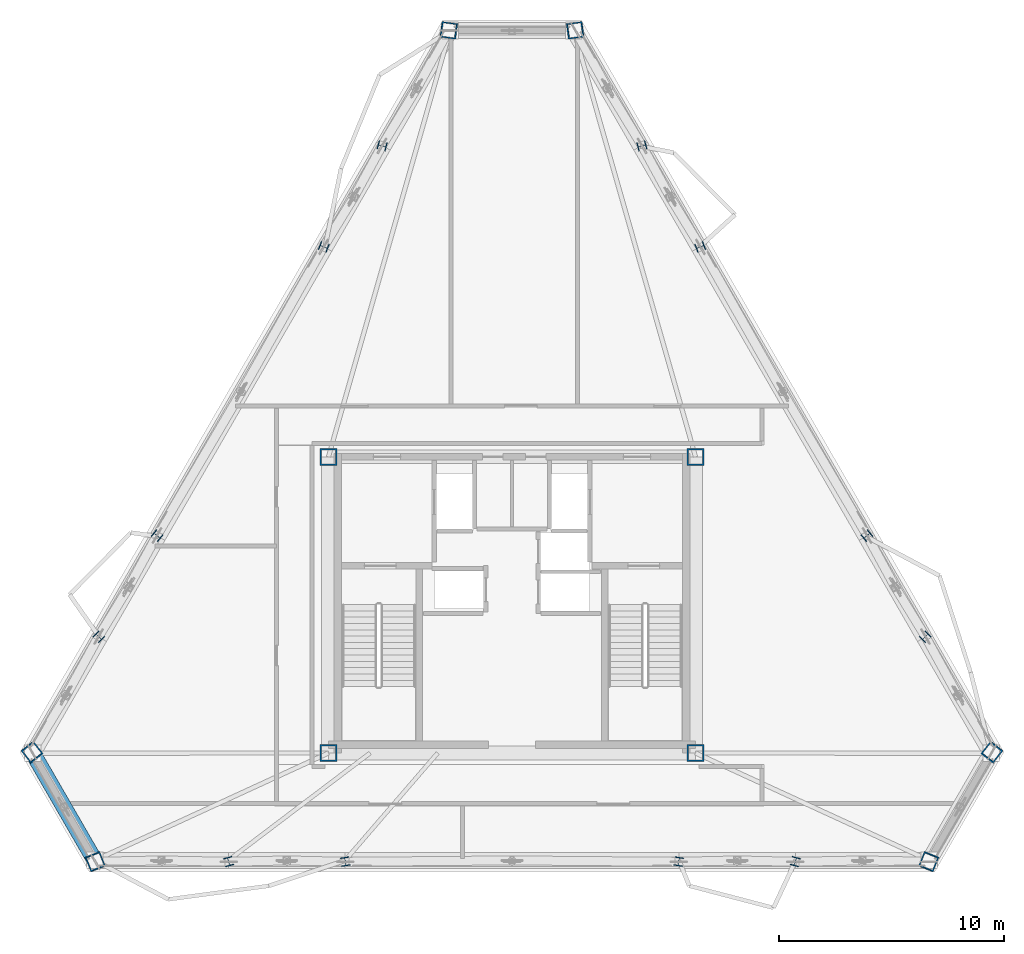
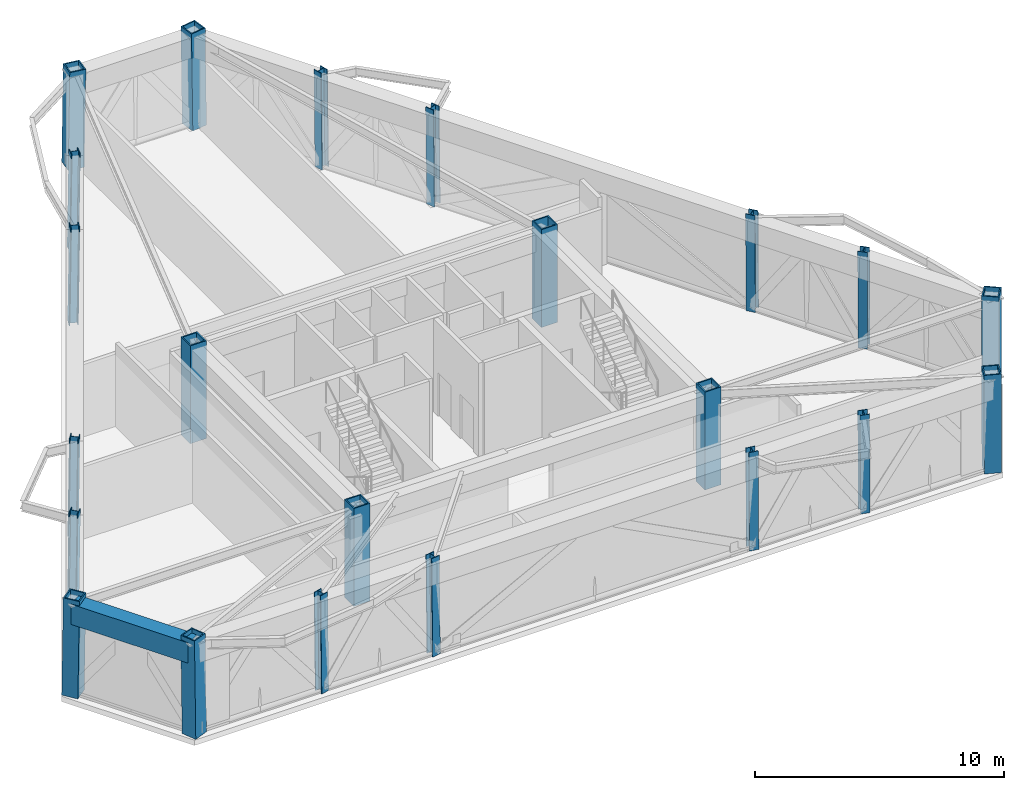
# One storey, part 1 of 10: 22 columns, 1 beam.
"""IFC4 building model written with IfcOpenShell, lengths in metres."""

from ifc_helpers import new_model, si_unit, direction, frame, origin, origin_2d, place, context, subcontext, project, spatial, hollow_rectangle, i_section, extrude, material, material_profile, profile_set, type_object, element, save


model = new_model("IFC4")

# Units and contexts
model_context = context("Model", 3, precision=1e-05, world=origin(), true_north=direction((0.0, 1.0)))
body_context = subcontext(model_context, "Body", "Model", "MODEL_VIEW")
ifc_project = project(units=[si_unit("LENGTHUNIT", "METRE"), si_unit("AREAUNIT", "SQUARE_METRE"), si_unit("VOLUMEUNIT", "CUBIC_METRE"), si_unit("PLANEANGLEUNIT", "RADIAN"), si_unit("MASSUNIT", "GRAM", prefix="KILO")], contexts=[model_context])

# Site, building, storey
site_placement = place(None, origin())
site = spatial("IfcSite", under=ifc_project, at=site_placement, CompositionType="ELEMENT")
building_placement = place(site_placement, origin())
building = spatial("IfcBuilding", under=site, at=building_placement, Name="Oramaril Tower", CompositionType="ELEMENT")
storey_placement = place(building_placement, frame((0.0, 0.0, 245.10009765625)))
storey = spatial("IfcBuildingStorey", under=building, at=storey_placement, Name="L65", CompositionType="ELEMENT", Elevation=245.10009765625)

# Columns
ifc_material_1 = material(Name="Steel ASTM A572 Gr 50", Category="steel")
ifc_material_profile_1 = material_profile(ifc_material_1, hollow_rectangle(XDim=0.75, YDim=0.75, WallThickness=0.06005859375, at=origin_2d()), Name="BOX750X750X60")
ifc_profile_set_1 = profile_set([ifc_material_profile_1], Name="Steel ASTM A572 Gr 50")
column_type_1 = type_object("IfcColumnType", Name="CT-CC4", PredefinedType="COLUMN", material=ifc_profile_set_1)
for number, where, z_axis, x_axis, name in (
    (1, (29.35009765625, 11.0, 0.0), (0.0, 0.0, 1.0), (1.0, 0.0, 0.0), "L65 Core Column CC-1"),
    (2, (45.64990234375, 11.0, 0.0), (0.0, 0.0, 1.0), (1.0, 0.0, 0.0), "L65 Core Column CC-2"),
    (3, (45.64990234375, 24.14990234375, 0.0), (0.0, 0.0, 1.0), (1.0, 0.0, 0.0), "L65 Core Column CC-3"),
    (4, (29.35009765625, 24.14990234375, 0.0), (0.0, 0.0, 1.0), (1.0, 0.0, 0.0), "L65 Core Column CC-4"),
):
    element("IfcColumn", number, at=place(storey_placement, frame(where, z_axis=z_axis, x_axis=x_axis)), inside=storey, type_object=column_type_1, Name=name, PredefinedType="COLUMN", context=body_context, shape_type="SweptSolid", body=[
        extrude(hollow_rectangle(XDim=0.75, YDim=0.75, WallThickness=0.06005859375, at=origin_2d()), origin(), (0.0, 0.0, 1.0), 4.7998046875),
    ])
ifc_material_2 = material(Name="Steel ASTM A572 Gr 50", Category="steel")
ifc_material_profile_2 = material_profile(ifc_material_2, hollow_rectangle(XDim=0.699951171875, YDim=0.699951171875, WallThickness=0.054931640625, at=origin_2d()), Name="BOX700X700X55")
ifc_profile_set_2 = profile_set([ifc_material_profile_2], Name="Steel ASTM A572 Gr 50")
column_type_2 = type_object("IfcColumnType", Name="CT-TC4", PredefinedType="COLUMN", material=ifc_profile_set_2)
for number, where, z_axis, x_axis, name in (
    (5, (16.18408203125, 11.04345703125, 0.00439453125), (0.008662007241, -0.011056797479, 0.999901353564), (0.787198701758, 0.616699443774, 0.0), "L65 Tube Column TC-01"),
    (6, (18.998779296875, 6.168212890625, 0.00439453125), (-0.005197208123, 0.012993020307, 0.999902080431), (-0.928476690885, -0.371390676354, 0.0), "L65 Tube Column TC-02"),
    (7, (56.001220703125, 6.168212890625, 0.00439453125), (0.005197208123, 0.012993020307, 0.999902080431), (-0.928476690885, 0.371390676354, 0.0), "L65 Tube Column TC-03"),
    (8, (58.81591796875, 11.04345703125, 0.00439453125), (-0.008662007241, -0.011056797479, 0.999901353564), (0.787198701758, -0.616699443774, 0.0), "L65 Tube Column TC-04"),
    (9, (40.314697265625, 43.08837890625, 0.00439453125), (-0.013859221679, -0.001936214793, 0.999902081729), (0.138362149538, -0.990381701959, 0.0), "L65 Tube Column TC-05"),
    (10, (34.685302734375, 43.08837890625, 0.00439453125), (0.013859221679, -0.001936214793, 0.999902081729), (0.138362149538, 0.990381701959, 0.0), "L65 Tube Column TC-06"),
):
    element("IfcColumn", number, at=place(storey_placement, frame(where, z_axis=z_axis, x_axis=x_axis)), inside=storey, type_object=column_type_2, Name=name, PredefinedType="COLUMN", context=body_context, shape_type="SweptSolid", body=[
        extrude(hollow_rectangle(XDim=0.699951171875, YDim=0.699951171875, WallThickness=0.054931640625, at=origin_2d()), origin(), (0.0, 0.0, 1.0), 4.79150390625),
    ])
ifc_material_3 = material(Name="Steel ASTM A572 Gr 50", Category="steel")
ifc_material_profile_3 = material_profile(ifc_material_3, i_section(OverallWidth=0.39892578125, OverallDepth=0.385986328125, WebThickness=0.02099609375, FlangeThickness=0.033203125, at=origin_2d()), Name="W14X176")
ifc_profile_set_3 = profile_set([ifc_material_profile_3], Name="Steel ASTM A572 Gr 50")
column_type_3 = type_object("IfcColumnType", Name="CT-TF4", PredefinedType="COLUMN", material=ifc_profile_set_3)
for number, where, z_axis, x_axis, name in (
    (11, (24.919189453125, 6.168212890625, 0.00439453125), (-0.003566736941, 0.01299311314, 0.999909224579), (-0.964326147917, -0.264716981781, 0.0), "L65 Tube Column TC-07"),
    (12, (30.099609375, 6.168212890625, 0.00439453125), (-0.002089097509, 0.012993167435, 0.999913402886), (-0.987319536968, -0.158745494179, 0.0), "L65 Tube Column TC-08"),
    (13, (44.900390625, 6.168212890625, 0.00439453125), (0.002089097509, 0.012993167435, 0.999913402886), (-0.987319536968, 0.158745494179, 0.0), "L65 Tube Column TC-09"),
    (14, (50.080810546875, 6.168212890625, 0.00439453125), (0.003566736941, 0.01299311314, 0.999909224579), (-0.964326147917, 0.264716981781, 0.0), "L65 Tube Column TC-10"),
    (15, (55.855712890625, 16.170654296875, 0.00439453125), (-0.0094773294, -0.009579236168, 0.999909205109), (0.710877936543, -0.703315405303, 0.0), "L65 Tube Column TC-11"),
    (16, (53.265380859375, 20.656982421875, 0.00439453125), (-0.010190717043, -0.008356387975, 0.999913156262), (0.634079588207, -0.773267790496, 0.0), "L65 Tube Column TC-12"),
    (17, (45.864990234375, 33.474853515625, 0.00439453125), (-0.012279819632, -0.004687731976, 0.999913611868), (0.356640050512, -0.93424187145, 0.0), "L65 Tube Column TC-13"),
    (18, (43.27490234375, 37.961181640625, 0.00439453125), (-0.013044064832, -0.003413876343, 0.999909094779), (0.253190988276, -0.967416313412, 0.0), "L65 Tube Column TC-14"),
    (19, (31.72509765625, 37.961181640625, 0.00439453125), (0.013044064832, -0.003413876343, 0.999909094779), (0.253190988276, 0.967416313412, 0.0), "L65 Tube Column TC-15"),
    (20, (29.135009765625, 33.474853515625, 0.00439453125), (0.012279819632, -0.004687731976, 0.999913611868), (0.356640050512, 0.93424187145, 0.0), "L65 Tube Column TC-16"),
    (21, (21.734619140625, 20.656982421875, 0.00439453125), (0.010190721369, -0.008305437916, 0.999913580715), (0.631759218671, 0.775164685486, 0.0), "L65 Tube Column TC-17"),
    (22, (19.144287109375, 16.170654296875, 0.00439453125), (0.0094773294, -0.009579236168, 0.999909205109), (0.710877936543, 0.703315405303, 0.0), "L65 Tube Column TC-18"),
):
    element("IfcColumn", number, at=place(storey_placement, frame(where, z_axis=z_axis, x_axis=x_axis)), inside=storey, type_object=column_type_3, Name=name, PredefinedType="COLUMN", context=body_context, shape_type="SweptSolid", body=[
        extrude(i_section(OverallWidth=0.39892578125, OverallDepth=0.385986328125, WebThickness=0.02099609375, FlangeThickness=0.033203125, at=origin_2d()), origin(), (0.0, 0.0, 1.0), 4.79150390625),
    ])

# Beam
ifc_material_4 = material(Name="Steel ASTM A572 Gr 50", Category="steel")
ifc_material_profile_4 = material_profile(ifc_material_4, hollow_rectangle(XDim=0.699951171875, YDim=1.0, WallThickness=0.06494140625, at=origin_2d()), Name="BOX1000X700X65")
ifc_profile_set_4 = profile_set([ifc_material_profile_4], Name="Steel ASTM A572 Gr 50")
beam_type = type_object("IfcBeamType", Name="BT-BT1", PredefinedType="BEAM", material=ifc_profile_set_4)
beam_placement = place(storey_placement, frame((16.2255859375, 10.990478515625, 4.079833984375), z_axis=(0.500013385357, -0.866017675607, 0.0), x_axis=(0.866017675607, 0.500013385357, 0.0)))
element("IfcBeam", 23, at=beam_placement, inside=storey, type_object=beam_type, Name="L65 Perimeter Spandrel 01", PredefinedType="BEAM", context=body_context, shape_type="SweptSolid", body=[
    extrude(hollow_rectangle(XDim=0.699951171875, YDim=1.0, WallThickness=0.06494140625, at=origin_2d()), origin(), (0.0, 0.0, 1.0), 5.496337890625),
])

save(model, "model.ifc")
